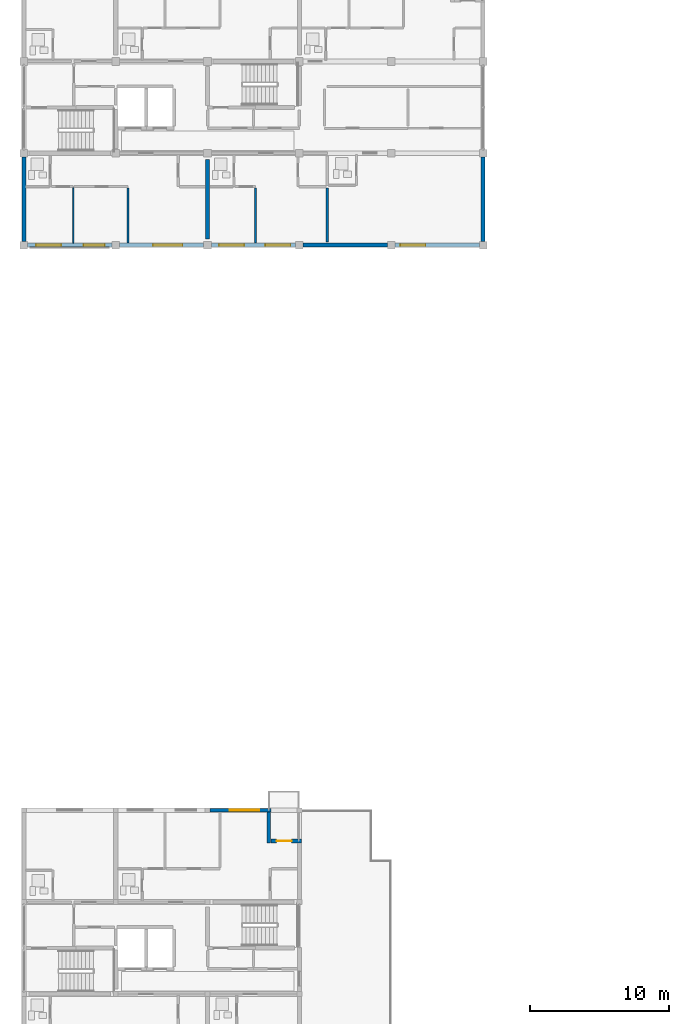
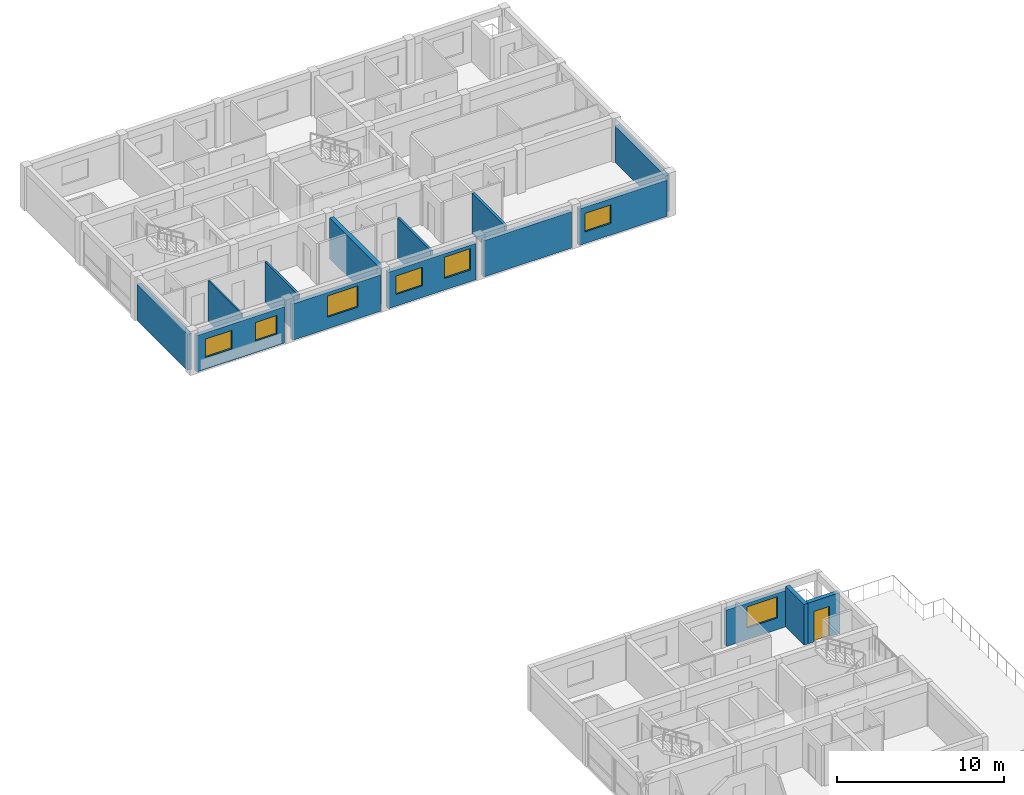
# One storey, part 27 of 46: 15 walls, 7 windows, 1 door, 8 openings.
"""IFC4 building model written with IfcOpenShell, lengths in metres."""

from ifc_helpers import new_model, si_unit, direction, frame, frame_2d, origin, place, context, subcontext, project, spatial, rectangle, extrude, material, layer, layer_set, type_object, element, fill, save


model = new_model("IFC4")

# Units and contexts
model_context = context("Model", 3, precision=1e-05, world=origin(), true_north=direction((0.0, 1.0)))
body_context = subcontext(model_context, "Body", "Model", "MODEL_VIEW")
ifc_project = project(units=[si_unit("LENGTHUNIT", "METRE"), si_unit("AREAUNIT", "SQUARE_METRE"), si_unit("VOLUMEUNIT", "CUBIC_METRE"), si_unit("PLANEANGLEUNIT", "RADIAN"), si_unit("MASSUNIT", "GRAM", prefix="KILO")], contexts=[model_context])

# Site, building, storey
site_placement = place(None, origin())
site = spatial("IfcSite", under=ifc_project, at=site_placement, CompositionType="ELEMENT")
building_placement = place(site_placement, origin())
building = spatial("IfcBuilding", under=site, at=building_placement, Name="Kernevlak Ridge Housing Community", CompositionType="ELEMENT")
storey_placement = place(building_placement, frame((0.0, 0.0, 27.60009765625)))
storey = spatial("IfcBuildingStorey", under=building, at=storey_placement, Name="L08", CompositionType="ELEMENT", Elevation=27.60009765625)

# Wall, openings, windows
ifc_material_1 = material(Name="Concrete block masonry M10", Category="masonry")
ifc_layer_1 = layer(ifc_material_1, 0.280029296875, Name="Concrete block masonry M10")
ifc_layer_set_1 = layer_set([ifc_layer_1], Name="Concrete block masonry M10")
wall_type_1 = type_object("IfcWallType", Name="EW-03", PredefinedType="STANDARD", material=ifc_layer_set_1)
wall_1_placement = place(storey_placement, frame((15.875, 76.0, 0.0), z_axis=(0.0, 0.0, 1.0), x_axis=(1.0, 0.0, 0.0)))
wall_1 = element("IfcWall", 1, at=wall_1_placement, inside=storey, type_object=wall_type_1, Name="Exterior wall EW-03 L08 125", PredefinedType="STANDARD", context=body_context, shape_type="SweptSolid", body=[
    extrude(rectangle(XDim=6.050048828125, YDim=0.280029296875, at=frame_2d((3.02490234375, 0.0))), origin(), (0.0, 0.0, 1.0), 2.64990234375),
])
opening_1_placement = place(wall_1_placement, frame((0.60009765625, 0.0, 0.85009765625)))
opening_1 = element("IfcOpeningElement", 2, at=opening_1_placement, cuts=wall_1, Name="Opening WT-03", PredefinedType="OPENING", context=body_context, shape_type="SweptSolid", body=[
    extrude(rectangle(XDim=1.800048828125, YDim=1.35009765625, at=frame_2d((0.89990234375, 0.675048828125))), frame((0.0, 0.14990234375, 0.0), z_axis=(0.0, -1.0, 0.0), x_axis=(1.0, 0.0, 0.0)), (0.0, 0.0, 1.0), 0.300048828125),
])
opening_2_placement = place(wall_1_placement, frame((4.02490234375, 0.0, 0.85009765625)))
opening_2 = element("IfcOpeningElement", 3, at=opening_2_placement, cuts=wall_1, Name="Opening WT-02", PredefinedType="OPENING", context=body_context, shape_type="SweptSolid", body=[
    extrude(rectangle(XDim=1.5, YDim=1.35009765625, at=frame_2d((0.75, 0.675048828125))), frame((0.0, 0.14990234375, 0.0), z_axis=(0.0, -1.0, 0.0), x_axis=(1.0, 0.0, 0.0)), (0.0, 0.0, 1.0), 0.300048828125),
])
ifc_material_2 = material(Name="Aluminium EN AW-6060 anodised and laminated glass", Category="aluminium")
window_type_1 = type_object("IfcWindowType", Name="WT-02", PartitioningType="SINGLE_PANEL", PredefinedType="WINDOW", material=ifc_material_2)
window_1_placement = place(opening_2_placement, origin())
window_1 = element("IfcWindow", 4, at=window_1_placement, inside=storey, type_object=window_type_1, Name="Window WT-02 L08 97", OverallHeight=1.35009765625, OverallWidth=1.5, PartitioningType="SINGLE_PANEL", PredefinedType="WINDOW", context=body_context, shape_type="SweptSolid", body=[
    extrude(rectangle(XDim=1.5, YDim=1.35009765625, at=frame_2d((0.75, 0.675048828125))), frame((0.0, 0.030029296875, 0.0), z_axis=(0.0, -1.0, 0.0), x_axis=(1.0, 0.0, 0.0)), (0.0, 0.0, 1.0), 0.06005859375),
])
fill(opening_2, window_1)
window_type_2 = type_object("IfcWindowType", Name="WT-03", PartitioningType="SINGLE_PANEL", PredefinedType="WINDOW", material=ifc_material_2)
window_2_placement = place(opening_1_placement, origin())
window_2 = element("IfcWindow", 5, at=window_2_placement, inside=storey, type_object=window_type_2, Name="Window WT-03 L08 96", OverallHeight=1.35009765625, OverallWidth=1.800048828125, PartitioningType="SINGLE_PANEL", PredefinedType="WINDOW", context=body_context, shape_type="SweptSolid", body=[
    extrude(rectangle(XDim=1.800048828125, YDim=1.35009765625, at=frame_2d((0.89990234375, 0.675048828125))), frame((0.0, 0.030029296875, 0.0), z_axis=(0.0, -1.0, 0.0), x_axis=(1.0, 0.0, 0.0)), (0.0, 0.0, 1.0), 0.06005859375),
])
fill(opening_1, window_2)

# Wall, opening, window
wall_2_placement = place(storey_placement, frame((22.47509765625, 76.0, 0.0), z_axis=(0.0, 0.0, 1.0), x_axis=(1.0, 0.0, 0.0)))
wall_2 = element("IfcWall", 6, at=wall_2_placement, inside=storey, type_object=wall_type_1, Name="Exterior wall EW-03 L08 126", PredefinedType="STANDARD", context=body_context, shape_type="SweptSolid", body=[
    extrude(rectangle(XDim=6.0498046875, YDim=0.280029296875, at=frame_2d((3.02490234375, 0.0))), origin(), (0.0, 0.0, 1.0), 2.64990234375),
])
opening_3_placement = place(wall_2_placement, frame((2.4208984375, 0.0, 0.85009765625)))
opening_3 = element("IfcOpeningElement", 7, at=opening_3_placement, cuts=wall_2, Name="Opening WT-05", PredefinedType="OPENING", context=body_context, shape_type="SweptSolid", body=[
    extrude(rectangle(XDim=2.10009765625, YDim=1.550048828125, at=frame_2d((1.050048828125, 0.77490234375))), frame((0.0, 0.14990234375, 0.0), z_axis=(0.0, -1.0, 0.0), x_axis=(1.0, 0.0, 0.0)), (0.0, 0.0, 1.0), 0.300048828125),
])
window_type_3 = type_object("IfcWindowType", Name="WT-05", PartitioningType="SINGLE_PANEL", PredefinedType="WINDOW", material=ifc_material_2)
window_3_placement = place(opening_3_placement, origin())
window_3 = element("IfcWindow", 8, at=window_3_placement, inside=storey, type_object=window_type_3, Name="Window WT-05 L08 98", OverallHeight=1.550048828125, OverallWidth=2.10009765625, PartitioningType="SINGLE_PANEL", PredefinedType="WINDOW", context=body_context, shape_type="SweptSolid", body=[
    extrude(rectangle(XDim=2.10009765625, YDim=1.550048828125, at=frame_2d((1.050048828125, 0.77490234375))), frame((0.0, 0.030029296875, 0.0), z_axis=(0.0, -1.0, 0.0), x_axis=(1.0, 0.0, 0.0)), (0.0, 0.0, 1.0), 0.06005859375),
])
fill(opening_3, window_3)

# Wall, openings, windows
wall_3_placement = place(storey_placement, frame((29.074951171875, 76.0, 0.0), z_axis=(0.0, 0.0, 1.0), x_axis=(1.0, 0.0, 0.0)))
wall_3 = element("IfcWall", 9, at=wall_3_placement, inside=storey, type_object=wall_type_1, Name="Exterior wall EW-03 L08 127", PredefinedType="STANDARD", context=body_context, shape_type="SweptSolid", body=[
    extrude(rectangle(XDim=6.050048828125, YDim=0.280029296875, at=frame_2d((3.02490234375, 0.0))), origin(), (0.0, 0.0, 1.0), 2.64990234375),
])
opening_4_placement = place(wall_3_placement, frame((0.550048828125, 0.0, 0.85009765625)))
opening_4 = element("IfcOpeningElement", 10, at=opening_4_placement, cuts=wall_3, Name="Opening WT-03", PredefinedType="OPENING", context=body_context, shape_type="SweptSolid", body=[
    extrude(rectangle(XDim=1.800048828125, YDim=1.35009765625, at=frame_2d((0.89990234375, 0.675048828125))), frame((0.0, 0.14990234375, 0.0), z_axis=(0.0, -1.0, 0.0), x_axis=(1.0, 0.0, 0.0)), (0.0, 0.0, 1.0), 0.300048828125),
])
opening_5_placement = place(wall_3_placement, frame((3.875, 0.0, 0.85009765625)))
opening_5 = element("IfcOpeningElement", 11, at=opening_5_placement, cuts=wall_3, Name="Opening WT-04", PredefinedType="OPENING", context=body_context, shape_type="SweptSolid", body=[
    extrude(rectangle(XDim=1.800048828125, YDim=1.550048828125, at=frame_2d((0.89990234375, 0.77490234375))), frame((0.0, 0.14990234375, 0.0), z_axis=(0.0, -1.0, 0.0), x_axis=(1.0, 0.0, 0.0)), (0.0, 0.0, 1.0), 0.300048828125),
])
window_4_placement = place(opening_4_placement, origin())
window_4 = element("IfcWindow", 12, at=window_4_placement, inside=storey, type_object=window_type_2, Name="Window WT-03 L08 99", OverallHeight=1.35009765625, OverallWidth=1.800048828125, PartitioningType="SINGLE_PANEL", PredefinedType="WINDOW", context=body_context, shape_type="SweptSolid", body=[
    extrude(rectangle(XDim=1.800048828125, YDim=1.35009765625, at=frame_2d((0.89990234375, 0.675048828125))), frame((0.0, 0.030029296875, 0.0), z_axis=(0.0, -1.0, 0.0), x_axis=(1.0, 0.0, 0.0)), (0.0, 0.0, 1.0), 0.06005859375),
])
fill(opening_4, window_4)
window_type_4 = type_object("IfcWindowType", Name="WT-04", PartitioningType="SINGLE_PANEL", PredefinedType="WINDOW", material=ifc_material_2)
window_5_placement = place(opening_5_placement, origin())
window_5 = element("IfcWindow", 13, at=window_5_placement, inside=storey, type_object=window_type_4, Name="Window WT-04 L08 100", OverallHeight=1.550048828125, OverallWidth=1.800048828125, PartitioningType="SINGLE_PANEL", PredefinedType="WINDOW", context=body_context, shape_type="SweptSolid", body=[
    extrude(rectangle(XDim=1.800048828125, YDim=1.550048828125, at=frame_2d((0.89990234375, 0.77490234375))), frame((0.0, 0.030029296875, 0.0), z_axis=(0.0, -1.0, 0.0), x_axis=(1.0, 0.0, 0.0)), (0.0, 0.0, 1.0), 0.06005859375),
])
fill(opening_5, window_5)

# Wall
wall_4_placement = place(storey_placement, frame((35.675048828125, 76.0, 0.0), z_axis=(0.0, 0.0, 1.0), x_axis=(1.0, 0.0, 0.0)))
element("IfcWall", 14, at=wall_4_placement, inside=storey, type_object=wall_type_1, Name="Exterior wall EW-03 L08 128", PredefinedType="STANDARD", context=body_context, shape_type="SweptSolid", body=[
    extrude(rectangle(XDim=6.050048828125, YDim=0.280029296875, at=frame_2d((3.02490234375, 0.0))), origin(), (0.0, 0.0, 1.0), 2.64990234375),
])

# Wall, opening, window
wall_5_placement = place(storey_placement, frame((42.27490234375, 76.0, 0.0), z_axis=(0.0, 0.0, 1.0), x_axis=(1.0, 0.0, 0.0)))
wall_5 = element("IfcWall", 15, at=wall_5_placement, inside=storey, type_object=wall_type_1, Name="Exterior wall EW-03 L08 129", PredefinedType="STANDARD", context=body_context, shape_type="SweptSolid", body=[
    extrude(rectangle(XDim=6.050048828125, YDim=0.280029296875, at=frame_2d((3.02490234375, 0.0))), origin(), (0.0, 0.0, 1.0), 2.64990234375),
])
opening_6_placement = place(wall_5_placement, frame((0.375, 0.0, 0.85009765625)))
opening_6 = element("IfcOpeningElement", 16, at=opening_6_placement, cuts=wall_5, Name="Opening WT-03", PredefinedType="OPENING", context=body_context, shape_type="SweptSolid", body=[
    extrude(rectangle(XDim=1.800048828125, YDim=1.35009765625, at=frame_2d((0.89990234375, 0.675048828125))), frame((0.0, 0.14990234375, 0.0), z_axis=(0.0, -1.0, 0.0), x_axis=(1.0, 0.0, 0.0)), (0.0, 0.0, 1.0), 0.300048828125),
])
window_6_placement = place(opening_6_placement, origin())
window_6 = element("IfcWindow", 17, at=window_6_placement, inside=storey, type_object=window_type_2, Name="Window WT-03 L08 101", OverallHeight=1.35009765625, OverallWidth=1.800048828125, PartitioningType="SINGLE_PANEL", PredefinedType="WINDOW", context=body_context, shape_type="SweptSolid", body=[
    extrude(rectangle(XDim=1.800048828125, YDim=1.35009765625, at=frame_2d((0.89990234375, 0.675048828125))), frame((0.0, 0.030029296875, 0.0), z_axis=(0.0, -1.0, 0.0), x_axis=(1.0, 0.0, 0.0)), (0.0, 0.0, 1.0), 0.06005859375),
])
fill(opening_6, window_6)

# Walls
for number, where, z_axis, x_axis, name in (
    (18, (15.60009765625, 76.27490234375, 0.0), (0.0, 0.0, 1.0), (0.0, 1.0, 0.0), "Exterior wall EW-03 L08 137"),
    (19, (48.60009765625, 76.27490234375, 0.0), (0.0, 0.0, 1.0), (0.0, 1.0, 0.0), "Exterior wall EW-03 L08 139"),
):
    element("IfcWall", number, at=place(storey_placement, frame(where, z_axis=z_axis, x_axis=x_axis)), inside=storey, type_object=wall_type_1, Name=name, PredefinedType="STANDARD", context=body_context, shape_type="SweptSolid", body=[
        extrude(rectangle(XDim=6.050048828125, YDim=0.280029296875, at=frame_2d((3.02490234375, 0.0))), origin(), (0.0, 0.0, 1.0), 2.64990234375),
    ])

# Wall, opening, window
wall_6_placement = place(storey_placement, frame((28.97509765625, 35.39990234375, 0.0), z_axis=(0.0, 0.0, 1.0), x_axis=(1.0, 0.0, 0.0)))
wall_6 = element("IfcWall", 20, at=wall_6_placement, inside=storey, type_object=wall_type_1, Name="Exterior wall EW-03 L08 828", PredefinedType="STANDARD", context=body_context, shape_type="SweptSolid", body=[
    extrude(rectangle(XDim=4.364990234375, YDim=0.280029296875, at=frame_2d((2.1826171875, 0.0))), origin(), (0.0, 0.0, 1.0), 2.64990234375),
])
opening_7_placement = place(wall_6_placement, frame((1.4208984375, 0.0, 0.85009765625)))
opening_7 = element("IfcOpeningElement", 21, at=opening_7_placement, cuts=wall_6, Name="Opening WT-05", PredefinedType="OPENING", context=body_context, shape_type="SweptSolid", body=[
    extrude(rectangle(XDim=2.10009765625, YDim=1.550048828125, at=frame_2d((1.050048828125, 0.77490234375))), frame((0.0, 0.14990234375, 0.0), z_axis=(0.0, -1.0, 0.0), x_axis=(1.0, 0.0, 0.0)), (0.0, 0.0, 1.0), 0.300048828125),
])
window_7_placement = place(opening_7_placement, origin())
window_7 = element("IfcWindow", 22, at=window_7_placement, inside=storey, type_object=window_type_3, Name="Window WT-05 L08 690", OverallHeight=1.550048828125, OverallWidth=2.10009765625, PartitioningType="SINGLE_PANEL", PredefinedType="WINDOW", context=body_context, shape_type="SweptSolid", body=[
    extrude(rectangle(XDim=2.10009765625, YDim=1.550048828125, at=frame_2d((1.050048828125, 0.77490234375))), frame((0.0, 0.030029296875, 0.0), z_axis=(0.0, -1.0, 0.0), x_axis=(1.0, 0.0, 0.0)), (0.0, 0.0, 1.0), 0.06005859375),
])
fill(opening_7, window_7)

# Wall
wall_7_placement = place(storey_placement, frame((33.199951171875, 35.260009765625, 0.0), z_axis=(0.0, 0.0, 1.0), x_axis=(0.0, -1.0, 0.0)))
element("IfcWall", 23, at=wall_7_placement, inside=storey, type_object=wall_type_1, Name="Exterior wall EW-03 L08 829", PredefinedType="STANDARD", context=body_context, shape_type="SweptSolid", body=[
    extrude(rectangle(XDim=2.199951171875, YDim=0.280029296875, at=frame_2d((1.10009765625, 0.0))), origin(), (0.0, 0.0, 1.0), 2.969970703125),
])

# Wall, opening, door
wall_8_placement = place(storey_placement, frame((33.340087890625, 33.199951171875, 0.0), z_axis=(0.0, 0.0, 1.0), x_axis=(1.0, 0.0, 0.0)))
wall_8 = element("IfcWall", 24, at=wall_8_placement, inside=storey, type_object=wall_type_1, Name="Exterior wall EW-03 L08 830", PredefinedType="STANDARD", context=body_context, shape_type="SweptSolid", body=[
    extrude(rectangle(XDim=2.199951171875, YDim=0.280029296875, at=frame_2d((1.10009765625, 0.0))), origin(), (0.0, 0.0, 1.0), 2.969970703125),
])
opening_8_placement = place(wall_8_placement, frame((0.419921875, 0.0, 0.0)))
opening_8 = element("IfcOpeningElement", 25, at=opening_8_placement, cuts=wall_8, Name="Opening E756", PredefinedType="OPENING", context=body_context, shape_type="SweptSolid", body=[
    extrude(rectangle(XDim=1.080078125, YDim=2.219970703125, at=frame_2d((0.5400390625, 1.10986328125))), frame((0.0, 0.14990234375, 0.0), z_axis=(0.0, -1.0, 0.0), x_axis=(1.0, 0.0, 0.0)), (0.0, 0.0, 1.0), 0.300048828125),
])
ifc_material_3 = material(Name="Aluminium EN AW-6060 and laminated safety glass", Category="aluminium")
door_type = type_object("IfcDoorType", Name="DT-34", OperationType="NOTDEFINED", PredefinedType="DOOR", material=ifc_material_3)
door_placement = place(opening_8_placement, origin())
door = element("IfcDoor", 26, at=door_placement, inside=storey, type_object=door_type, Name="Flat D0822 corner balcony glazed door E756", OperationType="SINGLE_SWING_LEFT", OverallHeight=2.219970703125, OverallWidth=1.080078125, PredefinedType="DOOR", context=body_context, shape_type="SweptSolid", body=[
    extrude(rectangle(XDim=1.080078125, YDim=2.219970703125, at=frame_2d((0.5400390625, 1.10986328125))), frame((0.0, 0.02490234375, 0.0), z_axis=(0.0, -1.0, 0.0), x_axis=(1.0, 0.0, 0.0)), (0.0, 0.0, 1.0), 0.050048828125),
])
fill(opening_8, door)

# Walls
ifc_layer_2 = layer(ifc_material_1, 0.175048828125, Name="Concrete block masonry M10")
ifc_layer_set_2 = layer_set([ifc_layer_2], Name="Concrete block masonry M10")
wall_type_2 = type_object("IfcWallType", Name="PW-02", PredefinedType="PARTITIONING", material=ifc_layer_set_2)
wall_9_placement = place(storey_placement, frame((37.39990234375, 80.112548828125, 0.0), z_axis=(0.0, 0.0, 1.0), x_axis=(0.0, -1.0, 0.0)))
element("IfcWall", 27, at=wall_9_placement, inside=storey, type_object=wall_type_2, Name="Interior wall PW-02 WAL-INT-L08-0541-S2", PredefinedType="PARTITIONING", context=body_context, shape_type="SweptSolid", body=[
    extrude(rectangle(XDim=3.882568359375, YDim=0.175048828125, at=frame_2d((1.94140625, 0.0))), origin(), (0.0, 0.0, 1.0), 2.969970703125),
])
ifc_layer_3 = layer(ifc_material_1, 0.14501953125, Name="Concrete block masonry M10")
ifc_layer_set_3 = layer_set([ifc_layer_3], Name="Concrete block masonry M10")
wall_type_3 = type_object("IfcWallType", Name="PW-03", PredefinedType="PARTITIONING", material=ifc_layer_set_3)
for number, where, z_axis, x_axis, name in (
    (28, (23.092041015625, 80.117431640625, 0.0), (0.0, 0.0, 1.0), (0.0, -1.0, 0.0), "Interior wall PW-03 WAL-INT-L08-0533"),
    (29, (32.25, 80.117431640625, 0.0), (0.0, 0.0, 1.0), (0.0, -1.0, 0.0), "Interior wall PW-03 WAL-INT-L08-0540"),
):
    element("IfcWall", number, at=place(storey_placement, frame(where, z_axis=z_axis, x_axis=x_axis)), inside=storey, type_object=wall_type_3, Name=name, PredefinedType="PARTITIONING", context=body_context, shape_type="SweptSolid", body=[
        extrude(rectangle(XDim=3.967529296875, YDim=0.14501953125, at=frame_2d((1.98388671875, 0.0))), origin(), (0.0, 0.0, 1.0), 2.969970703125),
    ])
ifc_material_4 = material(Name="Gypsum plasterboard EN 520", Category="gypsum")
ifc_layer_4 = layer(ifc_material_4, 0.10498046875, Name="Gypsum plasterboard EN 520")
ifc_layer_set_4 = layer_set([ifc_layer_4], Name="Gypsum plasterboard EN 520")
wall_type_4 = type_object("IfcWallType", Name="PW-06", PredefinedType="PARTITIONING", material=ifc_layer_set_4)
wall_10_placement = place(storey_placement, frame((19.14990234375, 80.117431640625, 0.0), z_axis=(0.0, 0.0, 1.0), x_axis=(0.0, -1.0, 0.0)))
element("IfcWall", 30, at=wall_10_placement, inside=storey, type_object=wall_type_4, Name="Interior wall PW-06 WAL-INT-L08-0531", PredefinedType="PARTITIONING", context=body_context, shape_type="SweptSolid", body=[
    extrude(rectangle(XDim=3.967529296875, YDim=0.10498046875, at=frame_2d((1.98388671875, 0.0))), origin(), (0.0, 0.0, 1.0), 2.969970703125),
])
ifc_material_5 = material(Name="Concrete C40/50", Category="concrete")
ifc_layer_5 = layer(ifc_material_5, 0.300048828125, Name="Concrete C40/50")
ifc_layer_set_5 = layer_set([ifc_layer_5], Name="Concrete C40/50")
wall_type_5 = type_object("IfcWallType", Name="SW-02", PredefinedType="SHEAR", material=ifc_layer_set_5)
wall_11_placement = place(storey_placement, frame((28.800048828125, 76.449951171875, 0.0), z_axis=(0.0, 0.0, 1.0), x_axis=(0.0, 1.0, 0.0)))
element("IfcWall", 31, at=wall_11_placement, inside=storey, type_object=wall_type_5, Name="Shear wall SW-02 Block A L08 98", PredefinedType="SHEAR", context=body_context, shape_type="SweptSolid", body=[
    extrude(rectangle(XDim=5.699951171875, YDim=0.300048828125, at=frame_2d((2.85009765625, 0.0))), origin(), (0.0, 0.0, 1.0), 2.969970703125),
])

save(model, "model.ifc")
